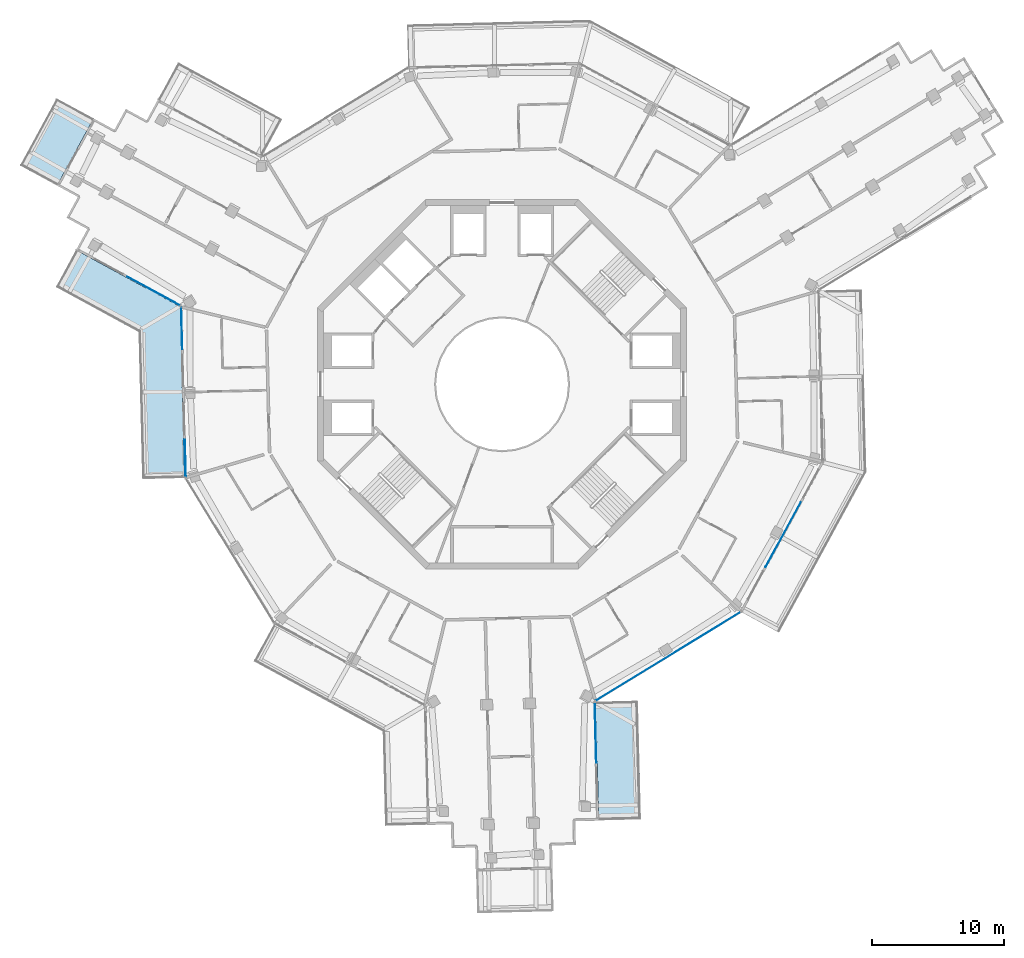
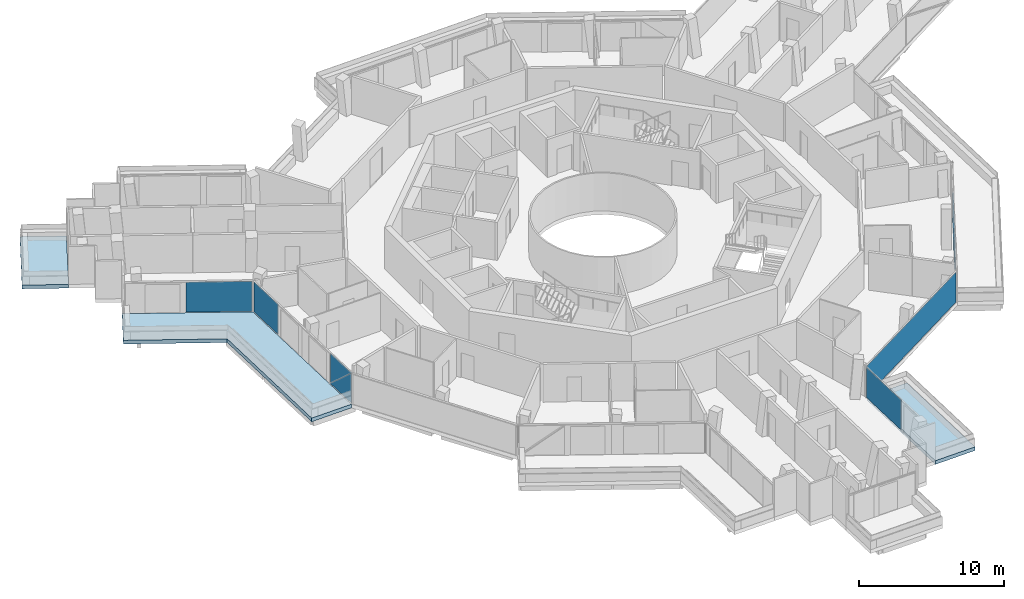
# One storey, part 13 of 26: 7 plates, 3 slabs, 5 elements without a shape of their own.
"""IFC4 building model written with IfcOpenShell, lengths in metres."""

from ifc_helpers import new_model, si_unit, direction, frame, origin, origin_2d, place, context, subcontext, project, spatial, polyline, rectangle, outline, extrude, material, layer, layer_set, type_object, element, aggregate, save


model = new_model("IFC4")

# Units and contexts
model_context = context("Model", 3, precision=1e-05, world=origin(), true_north=direction((0.0, 1.0)))
body_context = subcontext(model_context, "Body", "Model", "MODEL_VIEW")
ifc_project = project(units=[si_unit("LENGTHUNIT", "METRE"), si_unit("AREAUNIT", "SQUARE_METRE"), si_unit("VOLUMEUNIT", "CUBIC_METRE"), si_unit("PLANEANGLEUNIT", "RADIAN"), si_unit("MASSUNIT", "GRAM", prefix="KILO")], contexts=[model_context])

# Site, building, storey
site_placement = place(None, origin())
site = spatial("IfcSite", under=ifc_project, at=site_placement, CompositionType="ELEMENT")
building_placement = place(site_placement, origin())
building = spatial("IfcBuilding", under=site, at=building_placement, Name="Verdalira Terraces Hotel", CompositionType="ELEMENT")
storey_placement = place(building_placement, frame((0.0, 0.0, 284.5)))
storey = spatial("IfcBuildingStorey", under=building, at=storey_placement, Name="L70", CompositionType="ELEMENT", Elevation=284.5)

# Slabs
ifc_material_1 = material(Name="Precast concrete C40/50", Category="concrete")
ifc_layer_1 = layer(ifc_material_1, 0.31005859375)
ifc_layer_set_1 = layer_set([ifc_layer_1], Name="Balcony deck 310")
slab_type = type_object("IfcSlabType", Name="Balcony deck 310", PredefinedType="FLOOR", material=ifc_layer_set_1)
slab_1_placement = place(storey_placement, frame((0.0, 0.0, -0.310059)))
element("IfcSlab", 1, at=slab_1_placement, inside=storey, type_object=slab_type, Name="Balcony deck", PredefinedType="FLOOR", context=body_context, shape_type="SweptSolid", body=[
    extrude(outline(polyline([(-36.56665, 16.601807), (-33.756104, 15.072021), (-30.983154, 20.16626), (-33.793701, 21.696045), (-36.56665, 16.601807)])), origin(), (0.0, 0.0, 1.0), 0.310059),
])
slab_2_placement = place(storey_placement, frame((0.0, 0.0, -0.310059)))
element("IfcSlab", 2, at=slab_2_placement, inside=storey, type_object=slab_type, Name="Balcony deck", PredefinedType="FLOOR", context=body_context, shape_type="SweptSolid", body=[
    extrude(outline(polyline([(-27.56665, 3.960938), (-27.286377, -7.187988), (-24.087402, -7.107666), (-24.414062, 5.888428), (-32.315186, 10.188965), (-33.844971, 7.378418), (-27.56665, 3.960938)])), origin(), (0.0, 0.0, 1.0), 0.310059),
])
slab_3_placement = place(storey_placement, frame((0.0, 0.0, -0.310059)))
element("IfcSlab", 3, at=slab_3_placement, inside=storey, type_object=slab_type, Name="Balcony deck", PredefinedType="FLOOR", context=body_context, shape_type="SweptSolid", body=[
    extrude(outline(polyline([(10.306641, -24.006836), (7.107666, -24.087402), (7.33374, -33.080322), (10.532715, -32.999756), (10.306641, -24.006836)])), origin(), (0.0, 0.0, 1.0), 0.310059),
])

# Curtain wall, plates
ifc_material_2 = material(Name="Clear glass", Category="glass")
ifc_layer_2 = layer(ifc_material_2, 0.14990234375)
ifc_layer_set_2 = layer_set([ifc_layer_2], Name="CW1 curtain wall")
curtain_wall_type_1 = type_object("IfcCurtainWallType", Name="CW1 curtain wall", PredefinedType="NOTDEFINED", material=ifc_layer_set_2)
curtain_wall_1_placement = place(storey_placement, origin())
curtain_wall_1 = element("IfcCurtainWall", 4, at=curtain_wall_1_placement, inside=storey, type_object=curtain_wall_type_1, Name="CW1 curtain wall L70 edge 11", PredefinedType="NOTDEFINED")
ifc_material_3 = material(Name="Clear glass", Category="glass")
ifc_layer_3 = layer(ifc_material_3, 0.028076171875)
ifc_layer_set_3 = layer_set([ifc_layer_3], Name="CW1 glass unit 28")
plate_type_1 = type_object("IfcPlateType", Name="CW1 glass unit 28", PredefinedType="CURTAIN_PANEL", material=ifc_layer_set_3)
plate_1_placement = place(storey_placement, frame((-24.297363, 4.23584, 0.0), z_axis=(0.0, 0.0, 1.0), x_axis=(0.025130095, -0.999684189, 0.0)))
plate_1 = element("IfcPlate", 5, at=plate_1_placement, type_object=plate_type_1, Name="CW1 glass unit", PredefinedType="CURTAIN_PANEL", context=body_context, shape_type="SweptSolid", body=[
    extrude(rectangle(XDim=3.189941, YDim=0.028076, at=origin_2d()), origin(), (0.0, 0.0, 1.0), 2.524902),
])
plate_2_placement = place(storey_placement, frame((-24.035889, -5.611328, 1.262451), z_axis=(-0.999684189, -0.025130095, 0.0), x_axis=(0.025130095, -0.999684189, 0.0)))
plate_2 = element("IfcPlate", 6, at=plate_2_placement, type_object=plate_type_1, Name="CW1 glass unit", PredefinedType="CURTAIN_PANEL", context=body_context, shape_type="SweptSolid", body=[
    extrude(outline(polyline([(-1.394287, -1.262451), (1.394287, -1.262451), (1.394287, 1.262451), (-1.394287, -1.262451)])), origin(), (0.0, 0.0, 1.0), 0.028076),
])
plate_3_placement = place(storey_placement, frame((-24.006836, -5.610596, 1.262451), z_axis=(-0.999684189, -0.025130095, 0.0), x_axis=(0.025130095, -0.999684189, 0.0)))
plate_3 = element("IfcPlate", 7, at=plate_3_placement, type_object=plate_type_1, Name="CW1 glass unit", PredefinedType="CURTAIN_PANEL", context=body_context, shape_type="SweptSolid", body=[
    extrude(outline(polyline([(-1.394287, -1.262451), (1.394287, 1.262451), (-1.394287, 1.262451), (-1.394287, -1.262451)])), origin(), (0.0, 0.0, 1.0), 0.028076),
])
aggregate(curtain_wall_1, [plate_1, plate_2, plate_3])

# Curtain wall, plate
curtain_wall_2_placement = place(storey_placement, origin())
curtain_wall_2 = element("IfcCurtainWall", 8, at=curtain_wall_2_placement, inside=storey, type_object=curtain_wall_type_1, Name="CW1 curtain wall L70 edge 25", PredefinedType="NOTDEFINED")
plate_4_placement = place(storey_placement, frame((12.596924, -20.643311, 0.0), z_axis=(0.0, 0.0, 1.0), x_axis=(0.853186856, 0.521605396, 0.0)))
plate_4 = element("IfcPlate", 9, at=plate_4_placement, type_object=plate_type_1, Name="CW1 glass unit", PredefinedType="CURTAIN_PANEL", context=body_context, shape_type="SweptSolid", body=[
    extrude(rectangle(XDim=12.839844, YDim=0.028076, at=origin_2d()), origin(), (0.0, 0.0, 1.0), 2.524902),
])
aggregate(curtain_wall_2, [plate_4])

curtain_wall_3_placement = place(storey_placement, origin())
curtain_wall_3 = element("IfcCurtainWall", 10, at=curtain_wall_3_placement, inside=storey, type_object=curtain_wall_type_1, Name="CW1 curtain wall L70 edge 26", PredefinedType="NOTDEFINED")
plate_5_placement = place(storey_placement, frame((21.32666, -11.403564, 0.0), z_axis=(0.0, 0.0, 1.0), x_axis=(0.478078794, 0.878316951, 0.0)))
plate_5 = element("IfcPlate", 11, at=plate_5_placement, type_object=plate_type_1, Name="CW1 glass unit", PredefinedType="CURTAIN_PANEL", context=body_context, shape_type="SweptSolid", body=[
    extrude(rectangle(XDim=5.586182, YDim=0.028076, at=origin_2d()), origin(), (0.0, 0.0, 1.0), 2.524902),
])
aggregate(curtain_wall_3, [plate_5])

ifc_material_4 = material(Name="Clear glass", Category="glass")
ifc_layer_4 = layer(ifc_material_4, 0.14990234375)
ifc_layer_set_4 = layer_set([ifc_layer_4], Name="CW2 curtain wall")
curtain_wall_type_2 = type_object("IfcCurtainWallType", Name="CW2 curtain wall", PredefinedType="NOTDEFINED", material=ifc_layer_set_4)
curtain_wall_4_placement = place(storey_placement, origin())
curtain_wall_4 = element("IfcCurtainWall", 12, at=curtain_wall_4_placement, inside=storey, type_object=curtain_wall_type_2, Name="CW2 curtain wall L70 edge 10", PredefinedType="NOTDEFINED")
ifc_material_5 = material(Name="Clear glass", Category="glass")
ifc_layer_5 = layer(ifc_material_5, 0.031982421875)
ifc_layer_set_5 = layer_set([ifc_layer_5], Name="CW2 glass unit 32")
plate_type_2 = type_object("IfcPlateType", Name="CW2 glass unit 32", PredefinedType="CURTAIN_PANEL", material=ifc_layer_set_5)
plate_6_placement = place(storey_placement, frame((-26.436035, 7.074219, 0.0), z_axis=(0.0, 0.0, 1.0), x_axis=(0.878316951, -0.478078794, 0.0)))
plate_6 = element("IfcPlate", 13, at=plate_6_placement, type_object=plate_type_2, Name="CW2 glass unit", PredefinedType="CURTAIN_PANEL", context=body_context, shape_type="SweptSolid", body=[
    extrude(rectangle(XDim=4.545654, YDim=0.031982, at=origin_2d()), origin(), (0.0, 0.0, 1.0), 2.524902),
])
aggregate(curtain_wall_4, [plate_6])

curtain_wall_5_placement = place(storey_placement, origin())
curtain_wall_5 = element("IfcCurtainWall", 14, at=curtain_wall_5_placement, inside=storey, type_object=curtain_wall_type_2, Name="CW2 curtain wall L70 edge 24", PredefinedType="NOTDEFINED")
plate_7_placement = place(storey_placement, frame((7.091553, -26.431396, 0.0), z_axis=(0.0, 0.0, 1.0), x_axis=(-0.025130095, 0.999684189, 0.0)))
plate_7 = element("IfcPlate", 15, at=plate_7_placement, type_object=plate_type_2, Name="CW2 glass unit", PredefinedType="CURTAIN_PANEL", context=body_context, shape_type="SweptSolid", body=[
    extrude(rectangle(XDim=4.545654, YDim=0.031982, at=origin_2d()), origin(), (0.0, 0.0, 1.0), 2.524902),
])
aggregate(curtain_wall_5, [plate_7])

save(model, "model.ifc")
